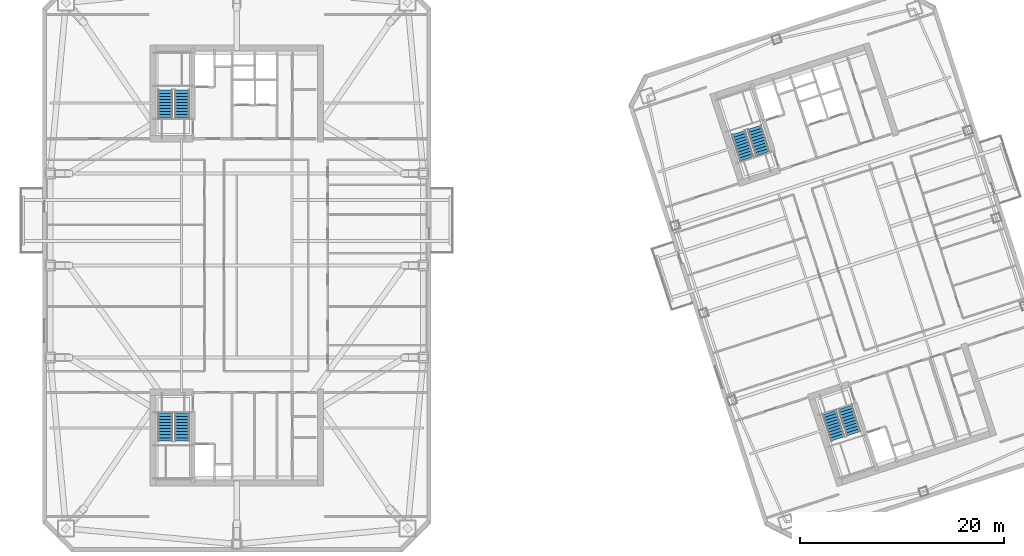
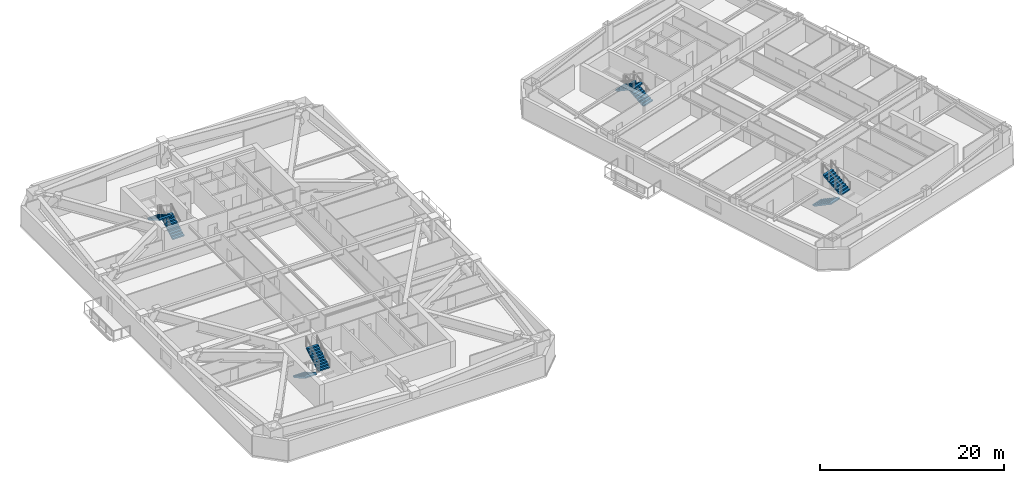
# One storey, part 12 of 17: 8 stair flights, 4 elements without a shape of their own.
"""IFC4 building model written with IfcOpenShell, lengths in metres."""

from ifc_helpers import new_model, si_unit, direction, frame, origin, place, context, subcontext, project, spatial, polyline, outline, extrude, material, type_object, element, aggregate, save


model = new_model("IFC4")

# Units and contexts
model_context = context("Model", 3, precision=1e-05, world=origin(), true_north=direction((0.0, 1.0)))
body_context = subcontext(model_context, "Body", "Model", "MODEL_VIEW")
ifc_project = project(units=[si_unit("LENGTHUNIT", "METRE"), si_unit("AREAUNIT", "SQUARE_METRE"), si_unit("VOLUMEUNIT", "CUBIC_METRE"), si_unit("PLANEANGLEUNIT", "RADIAN"), si_unit("MASSUNIT", "GRAM", prefix="KILO")], contexts=[model_context])

# Site, building, storey
site_placement = place(None, origin())
site = spatial("IfcSite", under=ifc_project, at=site_placement, CompositionType="ELEMENT")
building_placement = place(site_placement, origin())
building = spatial("IfcBuilding", under=site, at=building_placement, Name="Qiaolan Cultural Towers", CompositionType="ELEMENT")
storey_placement = place(building_placement, frame((0.0, 0.0, 156.39990234375)))
storey = spatial("IfcBuildingStorey", under=building, at=storey_placement, Name="L41", CompositionType="ELEMENT", Elevation=156.39990234375)

# Stair, stair flights
ifc_material_1 = material(Name="Concrete C45", Category="concrete")
stair_type = type_object("IfcStairType", Name="STR-CORE-1500", PredefinedType="HALF_TURN_STAIR", material=ifc_material_1)
stair_1_placement = place(storey_placement, origin())
stair_1 = element("IfcStair", 1, at=stair_1_placement, inside=storey, type_object=stair_type, Name="L41 Smokeproof Exit Stair ST-W1", PredefinedType="HALF_TURN_STAIR")
ifc_material_2 = material(Name="Concrete C45", Category="concrete")
stair_flight_type = type_object("IfcStairFlightType", Name="STR-CORE-1500-FL", PredefinedType="STRAIGHT", material=ifc_material_2)
stair_flight_1_placement = place(storey_placement, frame((23.02001953125, 19.550048828125, 0.0), z_axis=(0.0, 0.0, 1.0), x_axis=(0.0, -1.0, 0.0)))
stair_flight_1 = element("IfcStairFlight", 2, at=stair_flight_1_placement, type_object=stair_flight_type, Name="ST-W1 flight 1", NumberOfRisers=10, NumberOfTreads=9, PredefinedType="STRAIGHT", RiserHeight=0.1725, TreadLength=0.3, context=body_context, shape_type="SweptSolid", body=[
    extrude(outline(polyline([(0.0, 0.0), (0.0, 0.172607421875), (0.300048828125, 0.172607421875), (0.300048828125, 0.344970703125), (0.60009765625, 0.344970703125), (0.60009765625, 0.517578125), (0.89990234375, 0.517578125), (0.89990234375, 0.68994140625), (1.199951171875, 0.68994140625), (1.199951171875, 0.862548828125), (1.5, 0.862548828125), (1.5, 1.034912109375), (1.800048828125, 1.034912109375), (1.800048828125, 1.20751953125), (2.10009765625, 1.20751953125), (2.10009765625, 1.3798828125), (2.39990234375, 1.3798828125), (2.39990234375, 1.552490234375), (2.699951171875, 1.552490234375), (2.699951171875, 1.72509765625), (2.699951171875, 1.379638671875), (0.30078125, 0.0), (0.0, 0.0)])), frame((0.0, 0.719970703125, 0.0), z_axis=(0.0, -1.0, 0.0), x_axis=(1.0, 0.0, 0.0)), (0.0, 0.0, 1.0), 1.43994140625),
])
stair_flight_2_placement = place(storey_placement, frame((24.659912109375, 16.85009765625, 1.72509765625), z_axis=(0.0, 0.0, 1.0), x_axis=(0.0, 1.0, 0.0)))
stair_flight_2 = element("IfcStairFlight", 3, at=stair_flight_2_placement, type_object=stair_flight_type, Name="ST-W1 flight 2", NumberOfRisers=10, NumberOfTreads=9, PredefinedType="STRAIGHT", RiserHeight=0.1725, TreadLength=0.3, context=body_context, shape_type="SweptSolid", body=[
    extrude(outline(polyline([(0.0, 0.0), (0.0, 0.172607421875), (0.300048828125, 0.172607421875), (0.300048828125, 0.344970703125), (0.60009765625, 0.344970703125), (0.60009765625, 0.517578125), (0.89990234375, 0.517578125), (0.89990234375, 0.68994140625), (1.199951171875, 0.68994140625), (1.199951171875, 0.862548828125), (1.5, 0.862548828125), (1.5, 1.034912109375), (1.800048828125, 1.034912109375), (1.800048828125, 1.20751953125), (2.10009765625, 1.20751953125), (2.10009765625, 1.3798828125), (2.39990234375, 1.3798828125), (2.39990234375, 1.552490234375), (2.699951171875, 1.552490234375), (2.699951171875, 1.72509765625), (2.699951171875, 1.379638671875), (0.30078125, 0.0), (0.0, 0.0)])), frame((0.0, 0.719970703125, 0.0), z_axis=(0.0, -1.0, 0.0), x_axis=(1.0, 0.0, 0.0)), (0.0, 0.0, 1.0), 1.43994140625),
])
aggregate(stair_1, [stair_flight_1, stair_flight_2])

stair_2_placement = place(storey_placement, origin())
stair_2 = element("IfcStair", 4, at=stair_2_placement, inside=storey, type_object=stair_type, Name="L41 Smokeproof Exit Stair ST-W2", PredefinedType="HALF_TURN_STAIR")
stair_flight_3_placement = place(storey_placement, frame((24.659912109375, 48.449951171875, 0.0), z_axis=(0.0, 0.0, 1.0), x_axis=(0.0, 1.0, 0.0)))
stair_flight_3 = element("IfcStairFlight", 5, at=stair_flight_3_placement, type_object=stair_flight_type, Name="ST-W2 flight 1", NumberOfRisers=10, NumberOfTreads=9, PredefinedType="STRAIGHT", RiserHeight=0.1725, TreadLength=0.3, context=body_context, shape_type="SweptSolid", body=[
    extrude(outline(polyline([(0.0, 0.0), (0.0, 0.172607421875), (0.300048828125, 0.172607421875), (0.300048828125, 0.344970703125), (0.60009765625, 0.344970703125), (0.60009765625, 0.517578125), (0.89990234375, 0.517578125), (0.89990234375, 0.68994140625), (1.199951171875, 0.68994140625), (1.199951171875, 0.862548828125), (1.5, 0.862548828125), (1.5, 1.034912109375), (1.800048828125, 1.034912109375), (1.800048828125, 1.20751953125), (2.10009765625, 1.20751953125), (2.10009765625, 1.3798828125), (2.39990234375, 1.3798828125), (2.39990234375, 1.552490234375), (2.699951171875, 1.552490234375), (2.699951171875, 1.72509765625), (2.699951171875, 1.379638671875), (0.30078125, 0.0), (0.0, 0.0)])), frame((0.0, 0.719970703125, 0.0), z_axis=(0.0, -1.0, 0.0), x_axis=(1.0, 0.0, 0.0)), (0.0, 0.0, 1.0), 1.43994140625),
])
stair_flight_4_placement = place(storey_placement, frame((23.02001953125, 51.14990234375, 1.72509765625), z_axis=(0.0, 0.0, 1.0), x_axis=(0.0, -1.0, 0.0)))
stair_flight_4 = element("IfcStairFlight", 6, at=stair_flight_4_placement, type_object=stair_flight_type, Name="ST-W2 flight 2", NumberOfRisers=10, NumberOfTreads=9, PredefinedType="STRAIGHT", RiserHeight=0.1725, TreadLength=0.3, context=body_context, shape_type="SweptSolid", body=[
    extrude(outline(polyline([(0.0, 0.0), (0.0, 0.172607421875), (0.300048828125, 0.172607421875), (0.300048828125, 0.344970703125), (0.60009765625, 0.344970703125), (0.60009765625, 0.517578125), (0.89990234375, 0.517578125), (0.89990234375, 0.68994140625), (1.199951171875, 0.68994140625), (1.199951171875, 0.862548828125), (1.5, 0.862548828125), (1.5, 1.034912109375), (1.800048828125, 1.034912109375), (1.800048828125, 1.20751953125), (2.10009765625, 1.20751953125), (2.10009765625, 1.3798828125), (2.39990234375, 1.3798828125), (2.39990234375, 1.552490234375), (2.699951171875, 1.552490234375), (2.699951171875, 1.72509765625), (2.699951171875, 1.379638671875), (0.30078125, 0.0), (0.0, 0.0)])), frame((0.0, 0.719970703125, 0.0), z_axis=(0.0, -1.0, 0.0), x_axis=(1.0, 0.0, 0.0)), (0.0, 0.0, 1.0), 1.43994140625),
])
aggregate(stair_2, [stair_flight_3, stair_flight_4])

stair_3_placement = place(storey_placement, origin())
stair_3 = element("IfcStair", 7, at=stair_3_placement, inside=storey, type_object=stair_type, Name="L41 Smokeproof Exit Stair ST-E1", PredefinedType="HALF_TURN_STAIR")
stair_flight_5_placement = place(storey_placement, frame((87.96484375, 19.6171875, 0.0), z_axis=(0.0, 0.0, 1.0), x_axis=(0.309016994375, -0.951056516295, 0.0)))
stair_flight_5 = element("IfcStairFlight", 8, at=stair_flight_5_placement, type_object=stair_flight_type, Name="ST-E1 flight 1", NumberOfRisers=10, NumberOfTreads=9, PredefinedType="STRAIGHT", RiserHeight=0.1725, TreadLength=0.3, context=body_context, shape_type="SweptSolid", body=[
    extrude(outline(polyline([(0.0, 0.0), (0.0, 0.172607421875), (0.300048828125, 0.172607421875), (0.300048828125, 0.344970703125), (0.60009765625, 0.344970703125), (0.60009765625, 0.517578125), (0.89990234375, 0.517578125), (0.89990234375, 0.68994140625), (1.199951171875, 0.68994140625), (1.199951171875, 0.862548828125), (1.5, 0.862548828125), (1.5, 1.034912109375), (1.800048828125, 1.034912109375), (1.800048828125, 1.20751953125), (2.10009765625, 1.20751953125), (2.10009765625, 1.3798828125), (2.39990234375, 1.3798828125), (2.39990234375, 1.552490234375), (2.699951171875, 1.552490234375), (2.699951171875, 1.72509765625), (2.699951171875, 1.379638671875), (0.30078125, 0.0), (0.0, 0.0)])), frame((0.0, 0.719970703125, 0.0), z_axis=(0.0, -1.0, 0.0), x_axis=(1.0, 0.0, 0.0)), (0.0, 0.0, 1.0), 1.43994140625),
])
stair_flight_6_placement = place(storey_placement, frame((90.359130859375, 17.55615234375, 1.72509765625), z_axis=(0.0, 0.0, 1.0), x_axis=(-0.309016994375, 0.951056516295, 0.0)))
stair_flight_6 = element("IfcStairFlight", 9, at=stair_flight_6_placement, type_object=stair_flight_type, Name="ST-E1 flight 2", NumberOfRisers=10, NumberOfTreads=9, PredefinedType="STRAIGHT", RiserHeight=0.1725, TreadLength=0.3, context=body_context, shape_type="SweptSolid", body=[
    extrude(outline(polyline([(0.0, 0.0), (0.0, 0.172607421875), (0.300048828125, 0.172607421875), (0.300048828125, 0.344970703125), (0.60009765625, 0.344970703125), (0.60009765625, 0.517578125), (0.89990234375, 0.517578125), (0.89990234375, 0.68994140625), (1.199951171875, 0.68994140625), (1.199951171875, 0.862548828125), (1.5, 0.862548828125), (1.5, 1.034912109375), (1.800048828125, 1.034912109375), (1.800048828125, 1.20751953125), (2.10009765625, 1.20751953125), (2.10009765625, 1.3798828125), (2.39990234375, 1.3798828125), (2.39990234375, 1.552490234375), (2.699951171875, 1.552490234375), (2.699951171875, 1.72509765625), (2.699951171875, 1.379638671875), (0.30078125, 0.0), (0.0, 0.0)])), frame((0.0, 0.719970703125, 0.0), z_axis=(0.0, -1.0, 0.0), x_axis=(1.0, 0.0, 0.0)), (0.0, 0.0, 1.0), 1.43994140625),
])
aggregate(stair_3, [stair_flight_5, stair_flight_6])

stair_4_placement = place(storey_placement, origin())
stair_4 = element("IfcStair", 10, at=stair_4_placement, inside=storey, type_object=stair_type, Name="L41 Smokeproof Exit Stair ST-E2", PredefinedType="HALF_TURN_STAIR")
stair_flight_7_placement = place(storey_placement, frame((81.459228515625, 44.946533203125, 0.0), z_axis=(0.0, 0.0, 1.0), x_axis=(-0.309016994375, 0.951056516295, 0.0)))
stair_flight_7 = element("IfcStairFlight", 11, at=stair_flight_7_placement, type_object=stair_flight_type, Name="ST-E2 flight 1", NumberOfRisers=10, NumberOfTreads=9, PredefinedType="STRAIGHT", RiserHeight=0.1725, TreadLength=0.3, context=body_context, shape_type="SweptSolid", body=[
    extrude(outline(polyline([(0.0, 0.0), (0.0, 0.172607421875), (0.300048828125, 0.172607421875), (0.300048828125, 0.344970703125), (0.60009765625, 0.344970703125), (0.60009765625, 0.517578125), (0.89990234375, 0.517578125), (0.89990234375, 0.68994140625), (1.199951171875, 0.68994140625), (1.199951171875, 0.862548828125), (1.5, 0.862548828125), (1.5, 1.034912109375), (1.800048828125, 1.034912109375), (1.800048828125, 1.20751953125), (2.10009765625, 1.20751953125), (2.10009765625, 1.3798828125), (2.39990234375, 1.3798828125), (2.39990234375, 1.552490234375), (2.699951171875, 1.552490234375), (2.699951171875, 1.72509765625), (2.699951171875, 1.379638671875), (0.30078125, 0.0), (0.0, 0.0)])), frame((0.0, 0.719970703125, 0.0), z_axis=(0.0, -1.0, 0.0), x_axis=(1.0, 0.0, 0.0)), (0.0, 0.0, 1.0), 1.43994140625),
])
stair_flight_8_placement = place(storey_placement, frame((79.065185546875, 47.007568359375, 1.72509765625), z_axis=(0.0, 0.0, 1.0), x_axis=(0.309016994375, -0.951056516295, 0.0)))
stair_flight_8 = element("IfcStairFlight", 12, at=stair_flight_8_placement, type_object=stair_flight_type, Name="ST-E2 flight 2", NumberOfRisers=10, NumberOfTreads=9, PredefinedType="STRAIGHT", RiserHeight=0.1725, TreadLength=0.3, context=body_context, shape_type="SweptSolid", body=[
    extrude(outline(polyline([(0.0, 0.0), (0.0, 0.172607421875), (0.300048828125, 0.172607421875), (0.300048828125, 0.344970703125), (0.60009765625, 0.344970703125), (0.60009765625, 0.517578125), (0.89990234375, 0.517578125), (0.89990234375, 0.68994140625), (1.199951171875, 0.68994140625), (1.199951171875, 0.862548828125), (1.5, 0.862548828125), (1.5, 1.034912109375), (1.800048828125, 1.034912109375), (1.800048828125, 1.20751953125), (2.10009765625, 1.20751953125), (2.10009765625, 1.3798828125), (2.39990234375, 1.3798828125), (2.39990234375, 1.552490234375), (2.699951171875, 1.552490234375), (2.699951171875, 1.72509765625), (2.699951171875, 1.379638671875), (0.30078125, 0.0), (0.0, 0.0)])), frame((0.0, 0.719970703125, 0.0), z_axis=(0.0, -1.0, 0.0), x_axis=(1.0, 0.0, 0.0)), (0.0, 0.0, 1.0), 1.43994140625),
])
aggregate(stair_4, [stair_flight_7, stair_flight_8])

save(model, "model.ifc")
